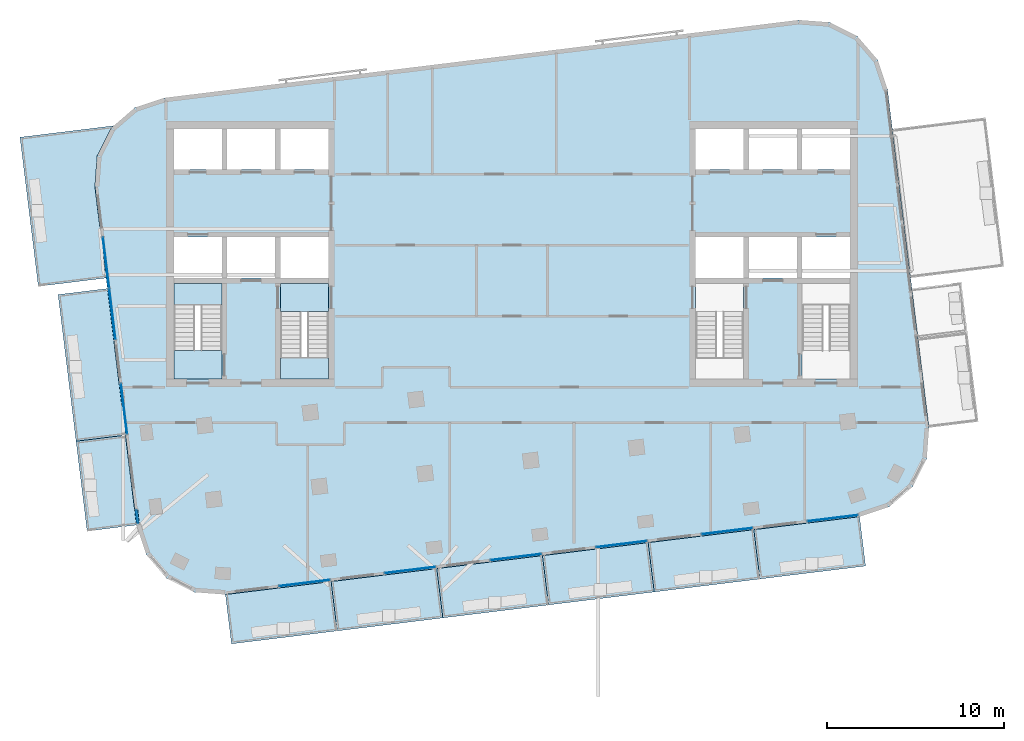
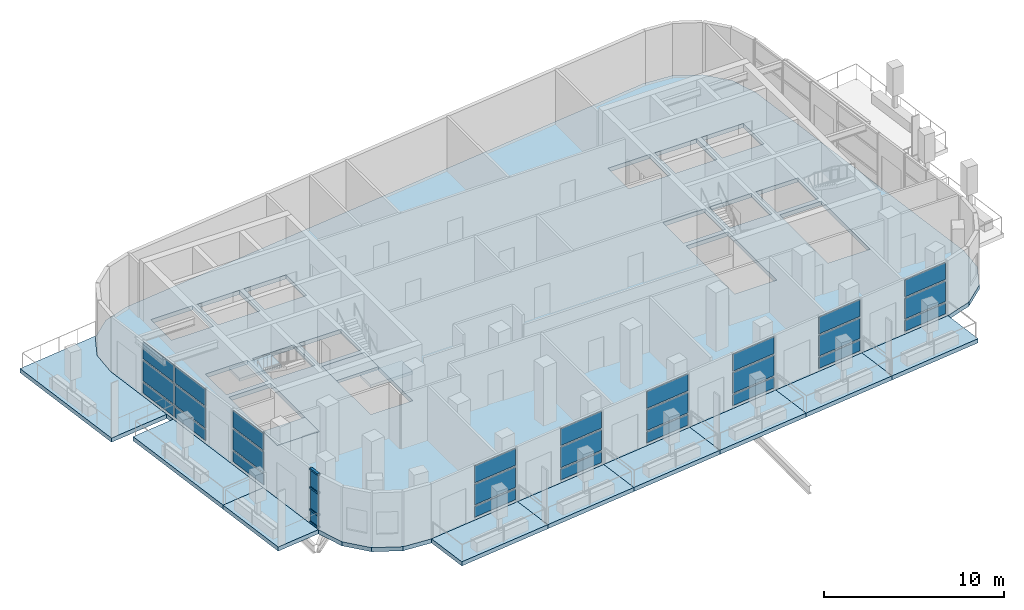
# One storey, part 4 of 13: 30 plates, 14 slabs, 4 members, 11 elements without a shape of their own.
"""IFC4 building model written with IfcOpenShell, lengths in metres."""

import ifcopenshell
import ifcopenshell.guid

model = None  # the IFC model being written
_history = None  # IfcOwnerHistory: only IFC2X3 demands one
_inside = {}  # id of a spatial element -> (the spatial element, [elements in it])
_under = {}  # id of a project, library or spatial element -> (it, [spatial elements below it])
_declared = {}  # id of a project -> (the project, [libraries it declares])
_typed = {}  # id of a type object -> (the type object, [elements of that type])
_made_of = {}  # id of a material, layer set ... -> (it, [elements and type objects made of it])


def new_model(schema):
    """Start an empty IFC model of exactly this schema.

    Asked for "IFC4X3", IfcOpenShell would pick the latest addendum, in which some entities
    have other attributes; the version numbers below select the first issue.
    IFC2X3 requires an IfcOwnerHistory on every rooted entity: one is made here for all.
    """
    global model, _history
    if schema == "IFC4X3":
        model = ifcopenshell.file(schema_version=(4, 3, 0, 0))
    else:
        model = ifcopenshell.file(schema=schema)
    _inside.clear()
    _under.clear()
    _declared.clear()
    _typed.clear()
    _made_of.clear()
    _history = None
    if model.schema == "IFC2X3":
        org = make("IfcOrganization", Name="unknown")
        user = make(
            "IfcPersonAndOrganization",
            ThePerson=make("IfcPerson", FamilyName="unknown"),
            TheOrganization=org,
        )
        app = make(
            "IfcApplication",
            ApplicationDeveloper=org,
            Version="unknown",
            ApplicationFullName="unknown",
            ApplicationIdentifier="unknown",
        )
        _history = make(
            "IfcOwnerHistory",
            OwningUser=user,
            OwningApplication=app,
            ChangeAction="ADDED",
            CreationDate=0,
        )
    return model


def make(cls, **values):
    """One entity of the class cls with the attributes given. An attribute that is None is left unset."""
    return model.create_entity(
        cls, **{name: value for name, value in values.items() if value is not None}
    )


def rooted(cls, **values):
    """An entity with a GlobalId (a new one), such as an element, a storey or a relation."""
    return make(cls, GlobalId=ifcopenshell.guid.new(), OwnerHistory=_history, **values)


def si_unit(unit_type, name, prefix=None):
    """IfcSIUnit, for example si_unit("LENGTHUNIT", "METRE", prefix="MILLI")."""
    return make("IfcSIUnit", UnitType=unit_type, Prefix=prefix, Name=name)


def assignment(units):
    """IfcUnitAssignment: the units of a project."""
    return None if units is None else make("IfcUnitAssignment", Units=units)


def point(xyz):
    """IfcCartesianPoint."""
    return None if xyz is None else make("IfcCartesianPoint", Coordinates=xyz)


def direction(xyz):
    """IfcDirection."""
    return None if xyz is None else make("IfcDirection", DirectionRatios=xyz)


def frame(location, z_axis=None, x_axis=None):
    """IfcAxis2Placement3D, a coordinate frame: its origin and axes. An axis left out is left unset."""
    return make(
        "IfcAxis2Placement3D",
        Location=point(location),
        Axis=direction(z_axis),
        RefDirection=direction(x_axis),
    )


def frame_2d(location, x_axis=None):
    """IfcAxis2Placement2D, a coordinate frame in the plane: its origin and x axis."""
    return make(
        "IfcAxis2Placement2D", Location=point(location), RefDirection=direction(x_axis)
    )


def origin():
    """The frame at (0, 0, 0) with its axes left unset."""
    return frame((0.0, 0.0, 0.0))


def origin_2d():
    """The frame at (0, 0) in the plane with its x axis left unset."""
    return frame_2d((0.0, 0.0))


def place(relative_to, where):
    """IfcLocalPlacement: puts the frame where relative to a parent placement (None: the world)."""
    return make(
        "IfcLocalPlacement", PlacementRelTo=relative_to, RelativePlacement=where
    )


def context(
    kind, dimensions, precision=None, world=None, true_north=None, identifier=None
):
    """IfcGeometricRepresentationContext, for example the 3D "Model" context."""
    return make(
        "IfcGeometricRepresentationContext",
        ContextIdentifier=identifier,
        ContextType=kind,
        CoordinateSpaceDimension=dimensions,
        Precision=precision,
        WorldCoordinateSystem=world,
        TrueNorth=true_north,
    )


def subcontext(parent, identifier, kind, view, scale=None):
    """IfcGeometricRepresentationSubContext, for example "Body" below "Model"."""
    return make(
        "IfcGeometricRepresentationSubContext",
        ContextIdentifier=identifier,
        ContextType=kind,
        ParentContext=parent,
        TargetScale=scale,
        TargetView=view,
    )


def project(units=None, contexts=None):
    """IfcProject with its units and contexts."""
    return rooted(
        "IfcProject",
        Name="project",
        RepresentationContexts=contexts,
        UnitsInContext=assignment(units),
    )


def spatial(cls, under=None, at=None, **own):
    """A site, building, storey or space (cls), placed at a placement, below another one or the project."""
    s = rooted(cls, ObjectPlacement=at, **own)
    if under is not None:
        _under.setdefault(under.id(), (under, []))[1].append(s)
    return s


def polyline(points):
    """IfcPolyline through the points."""
    return make("IfcPolyline", Points=[point(p) for p in points])


def profile(cls, at=None, kind="AREA", **sizes):
    """A parametric profile (cls). Its sizes go by their IFC names, for example OverallWidth=200.0."""
    return make(cls, ProfileType=kind, Position=at, **sizes)


def rectangle(**sizes):
    """IfcRectangleProfileDef."""
    return profile("IfcRectangleProfileDef", **sizes)


def outline(outer, holes=None, kind="AREA"):
    """IfcArbitraryClosedProfileDef: a profile drawn as a closed curve; with holes, ...WithVoids."""
    if holes is None:
        return make("IfcArbitraryClosedProfileDef", ProfileType=kind, OuterCurve=outer)
    return make(
        "IfcArbitraryProfileDefWithVoids",
        ProfileType=kind,
        OuterCurve=outer,
        InnerCurves=holes,
    )


def extrude(swept, where, along, depth):
    """IfcExtrudedAreaSolid: the profile swept, set in the frame where, extruded along a direction by depth."""
    return make(
        "IfcExtrudedAreaSolid",
        SweptArea=swept,
        Position=where,
        ExtrudedDirection=direction(along),
        Depth=depth,
    )


def shape(context_of_items, identifier, shape_type, items):
    """IfcShapeRepresentation: the items that make up one representation, for example the "Body"."""
    return make(
        "IfcShapeRepresentation",
        ContextOfItems=context_of_items,
        RepresentationIdentifier=identifier,
        RepresentationType=shape_type,
        Items=items,
    )


def material(Name=None, Category=None):
    """IfcMaterial."""
    return make("IfcMaterial", Name=Name, Category=Category)


def layer(
    of_material, thickness, ventilated=None, Name=None, Category=None, Priority=None
):
    """IfcMaterialLayer: one layer of a wall or slab, of a material (None: an air gap)."""
    return make(
        "IfcMaterialLayer",
        Material=of_material,
        LayerThickness=thickness,
        IsVentilated=ventilated,
        Name=Name,
        Category=Category,
        Priority=Priority,
    )


def layer_set(layers, Name=None):
    """IfcMaterialLayerSet."""
    return make("IfcMaterialLayerSet", MaterialLayers=layers, LayerSetName=Name)


def material_profile(
    of_material, cross_section, Name=None, Category=None, Priority=None
):
    """IfcMaterialProfile: a cross section and its material."""
    return make(
        "IfcMaterialProfile",
        Name=Name,
        Material=of_material,
        Profile=cross_section,
        Priority=Priority,
        Category=Category,
    )


def profile_set(profiles, Name=None, composite=None):
    """IfcMaterialProfileSet."""
    return make(
        "IfcMaterialProfileSet",
        Name=Name,
        MaterialProfiles=profiles,
        CompositeProfile=composite,
    )


def made_of(thing, what):
    """Note that an element or type object is made of a material, layer set ...; save() writes the relation."""
    if what is not None:
        _made_of.setdefault(what.id(), (what, []))[1].append(thing)
    return thing


def type_object(cls, material=None, **own):
    """A type object (cls), such as IfcWallType, which elements share."""
    return made_of(rooted(cls, **own), material)


def element(
    cls,
    number,
    at=None,
    inside=None,
    cuts=None,
    type_object=None,
    material=None,
    context=None,
    identifier="Body",
    shape_type=None,
    held_by="IfcProductDefinitionShape",
    body=None,
    shapes=None,
    **own,
):
    """One element of the class cls, such as IfcWall. Its Tag is "e" and its number.

    at: its placement. inside: the storey or other place that contains it. cuts: it is an
    opening in that element (IfcRelVoidsElement). A single representation is given by context,
    identifier, shape_type and body (its items); several are given by shapes. held_by: the class
    of the entity that holds the representations. save() writes the other relations.
    """
    e = rooted(cls, Tag="e%d" % number, ObjectPlacement=at, **own)
    if body is not None:
        shapes = [shape(context, identifier, shape_type, body)]
    if shapes is not None:
        e.Representation = make(held_by, Representations=shapes)
    if inside is not None:
        _inside.setdefault(inside.id(), (inside, []))[1].append(e)
    if cuts is not None:
        rooted(
            "IfcRelVoidsElement", RelatingBuildingElement=cuts, RelatedOpeningElement=e
        )
    if type_object is not None:
        _typed.setdefault(type_object.id(), (type_object, []))[1].append(e)
    return made_of(e, material)


def aggregate(whole, parts):
    """IfcRelAggregates: a whole, such as a stair, and the parts it consists of."""
    return rooted("IfcRelAggregates", RelatingObject=whole, RelatedObjects=parts)


def save(model, path):
    """Write the relations noted so far, then the file.

    IfcRelAggregates (storeys below a building ...), IfcRelContainedInSpatialStructure (elements
    in a storey), IfcRelDefinesByType, IfcRelAssociatesMaterial and IfcRelDeclares: one each for
    every whole, place, type object, material and project.
    """
    for whole, parts in _under.values():
        aggregate(whole, parts)
    for where, things in _inside.values():
        rooted(
            "IfcRelContainedInSpatialStructure",
            RelatedElements=things,
            RelatingStructure=where,
        )
    for kind, things in _typed.values():
        rooted("IfcRelDefinesByType", RelatedObjects=things, RelatingType=kind)
    for what, things in _made_of.values():
        rooted("IfcRelAssociatesMaterial", RelatedObjects=things, RelatingMaterial=what)
    for by, libraries in _declared.values():
        rooted("IfcRelDeclares", RelatingContext=by, RelatedDefinitions=libraries)
    model.write(path)


model = new_model("IFC4")

# Units and contexts
model_context = context("Model", 3, precision=1e-05, world=origin(), true_north=direction((0.0, 1.0)))
body_context = subcontext(model_context, "Body", "Model", "MODEL_VIEW")
ifc_project = project(units=[si_unit("LENGTHUNIT", "METRE"), si_unit("AREAUNIT", "SQUARE_METRE"), si_unit("VOLUMEUNIT", "CUBIC_METRE"), si_unit("PLANEANGLEUNIT", "RADIAN"), si_unit("MASSUNIT", "GRAM", prefix="KILO")], contexts=[model_context])

# Site, building, storey
site_placement = place(None, origin())
site = spatial("IfcSite", under=ifc_project, at=site_placement, CompositionType="ELEMENT")
building_placement = place(site_placement, origin())
building = spatial("IfcBuilding", under=site, at=building_placement, Name="Torana Hotel and Residences", CompositionType="ELEMENT")
storey_placement = place(building_placement, frame((0.0, 0.0, 314.60009765625)))
storey = spatial("IfcBuildingStorey", under=building, at=storey_placement, Name="L83", CompositionType="ELEMENT", Elevation=314.60009765625)

# Curtain wall, members
ifc_material_1 = material(Name="Dark anodised aluminium", Category="aluminium")
ifc_layer_1 = layer(ifc_material_1, 0.199951171875)
ifc_layer_set_1 = layer_set([ifc_layer_1], Name="CW3 SKY CLUB UNITISED CURTAIN WALL")
curtain_wall_type = type_object("IfcCurtainWallType", Name="CW3 SKY CLUB UNITISED CURTAIN WALL", PredefinedType="NOTDEFINED", material=ifc_layer_set_1)
curtain_wall_1_placement = place(storey_placement, origin())
curtain_wall_1 = element("IfcCurtainWall", 1, at=curtain_wall_1_placement, inside=storey, type_object=curtain_wall_type, Name="Curtain wall CW3 L83 e0.9-6", PredefinedType="NOTDEFINED")
ifc_material_2 = material(Name="Dark anodised aluminium", Category="aluminium")
ifc_material_profile = material_profile(ifc_material_2, rectangle(XDim=0.14990234375, YDim=0.1201171875, at=origin_2d()), Name="CW3 TRANSOM 150x120")
ifc_profile_set = profile_set([ifc_material_profile], Name="Dark anodised aluminium")
member_type = type_object("IfcMemberType", Name="CW3 TRANSOM 150x120", PredefinedType="USERDEFINED", material=ifc_profile_set)
member_1_placement = place(storey_placement, frame((-21.1640625, -21.9345703125, 0.059814453125), z_axis=(0.121868344815, -0.992546274252, 0.0), x_axis=(0.992546274252, 0.121868344815, 0.0)))
member_1 = element("IfcMember", 2, at=member_1_placement, type_object=member_type, Name="CW3 transom 1.1", ObjectType="TRANSOM", PredefinedType="USERDEFINED", context=body_context, shape_type="SweptSolid", body=[
    extrude(rectangle(XDim=0.14990234375, YDim=0.1201171875, at=origin_2d()), origin(), (0.0, 0.0, 1.0), 0.735107421875),
])
member_2_placement = place(storey_placement, frame((-21.1640625, -21.9345703125, 0.89990234375), z_axis=(0.121868344815, -0.992546274252, 0.0), x_axis=(0.992546274252, 0.121868344815, 0.0)))
member_2 = element("IfcMember", 3, at=member_2_placement, type_object=member_type, Name="CW3 transom 1.2", ObjectType="TRANSOM", PredefinedType="USERDEFINED", context=body_context, shape_type="SweptSolid", body=[
    extrude(rectangle(XDim=0.14990234375, YDim=0.1201171875, at=origin_2d()), origin(), (0.0, 0.0, 1.0), 0.735107421875),
])
member_3_placement = place(storey_placement, frame((-21.1640625, -21.9345703125, 2.39990234375), z_axis=(0.121868344815, -0.992546274252, 0.0), x_axis=(0.992546274252, 0.121868344815, 0.0)))
member_3 = element("IfcMember", 4, at=member_3_placement, type_object=member_type, Name="CW3 transom 1.3", ObjectType="TRANSOM", PredefinedType="USERDEFINED", context=body_context, shape_type="SweptSolid", body=[
    extrude(rectangle(XDim=0.14990234375, YDim=0.1201171875, at=origin_2d()), origin(), (0.0, 0.0, 1.0), 0.735107421875),
])
member_4_placement = place(storey_placement, frame((-21.1640625, -21.9345703125, 3.659912109375), z_axis=(0.121868344815, -0.992546274252, 0.0), x_axis=(0.992546274252, 0.121868344815, 0.0)))
member_4 = element("IfcMember", 5, at=member_4_placement, type_object=member_type, Name="CW3 transom 1.4", ObjectType="TRANSOM", PredefinedType="USERDEFINED", context=body_context, shape_type="SweptSolid", body=[
    extrude(rectangle(XDim=0.14990234375, YDim=0.1201171875, at=origin_2d()), origin(), (0.0, 0.0, 1.0), 0.735107421875),
])

# Slabs
ifc_material_3 = material(Name="Concrete C40/50", Category="concrete")
ifc_layer_2 = layer(ifc_material_3, 0.280029296875)
ifc_layer_set_2 = layer_set([ifc_layer_2], Name="BAL1 BALCONY SLAB 280")
slab_type_1 = type_object("IfcSlabType", Name="BAL1 BALCONY SLAB 280", PredefinedType="USERDEFINED", material=ifc_layer_set_2)
slab_1_placement = place(storey_placement, frame((0.0, 0.0, -0.280029296875)))
element("IfcSlab", 6, at=slab_1_placement, inside=storey, type_object=slab_type_1, Name="Balcony 01", ObjectType="BALCONY", PredefinedType="USERDEFINED", context=body_context, shape_type="SweptSolid", body=[
    extrude(outline(polyline([(-15.80615234375, -29.4677734375), (-9.85107421875, -28.736572265625), (-10.192138671875, -25.957275390625), (-16.1474609375, -26.6884765625), (-15.80615234375, -29.4677734375)])), origin(), (0.0, 0.0, 1.0), 0.280029296875),
])
slab_2_placement = place(storey_placement, frame((0.0, 0.0, -0.280029296875)))
element("IfcSlab", 7, at=slab_2_placement, inside=storey, type_object=slab_type_1, Name="Balcony 02", ObjectType="BALCONY", PredefinedType="USERDEFINED", context=body_context, shape_type="SweptSolid", body=[
    extrude(outline(polyline([(-9.85107421875, -28.736572265625), (-3.895751953125, -28.005126953125), (-4.23681640625, -25.22607421875), (-10.192138671875, -25.957275390625), (-9.85107421875, -28.736572265625)])), origin(), (0.0, 0.0, 1.0), 0.280029296875),
])
slab_3_placement = place(storey_placement, frame((0.0, 0.0, -0.280029296875)))
element("IfcSlab", 8, at=slab_3_placement, inside=storey, type_object=slab_type_1, Name="Balcony 03", ObjectType="BALCONY", PredefinedType="USERDEFINED", context=body_context, shape_type="SweptSolid", body=[
    extrude(outline(polyline([(-3.895751953125, -28.005126953125), (2.0595703125, -27.27392578125), (1.718505859375, -24.494873046875), (-4.23681640625, -25.22607421875), (-3.895751953125, -28.005126953125)])), origin(), (0.0, 0.0, 1.0), 0.280029296875),
])
slab_4_placement = place(storey_placement, frame((0.0, 0.0, -0.280029296875)))
element("IfcSlab", 9, at=slab_4_placement, inside=storey, type_object=slab_type_1, Name="Balcony 04", ObjectType="BALCONY", PredefinedType="USERDEFINED", context=body_context, shape_type="SweptSolid", body=[
    extrude(outline(polyline([(2.0595703125, -27.27392578125), (8.014892578125, -26.542724609375), (7.673583984375, -23.763671875), (1.718505859375, -24.494873046875), (2.0595703125, -27.27392578125)])), origin(), (0.0, 0.0, 1.0), 0.280029296875),
])
slab_5_placement = place(storey_placement, frame((0.0, 0.0, -0.280029296875)))
element("IfcSlab", 10, at=slab_5_placement, inside=storey, type_object=slab_type_1, Name="Balcony 05", ObjectType="BALCONY", PredefinedType="USERDEFINED", context=body_context, shape_type="SweptSolid", body=[
    extrude(outline(polyline([(8.014892578125, -26.542724609375), (13.97021484375, -25.8115234375), (13.62890625, -23.032470703125), (7.673583984375, -23.763671875), (8.014892578125, -26.542724609375)])), origin(), (0.0, 0.0, 1.0), 0.280029296875),
])
slab_6_placement = place(storey_placement, frame((0.0, 0.0, -0.280029296875)))
element("IfcSlab", 11, at=slab_6_placement, inside=storey, type_object=slab_type_1, Name="Balcony 06", ObjectType="BALCONY", PredefinedType="USERDEFINED", context=body_context, shape_type="SweptSolid", body=[
    extrude(outline(polyline([(13.97021484375, -25.8115234375), (19.92529296875, -25.080322265625), (19.584228515625, -22.30126953125), (13.62890625, -23.032470703125), (13.97021484375, -25.8115234375)])), origin(), (0.0, 0.0, 1.0), 0.280029296875),
])
slab_7_placement = place(storey_placement, frame((0.0, 0.0, -0.280029296875)))
element("IfcSlab", 12, at=slab_7_placement, inside=storey, type_object=slab_type_1, Name="Balcony 07", ObjectType="BALCONY", PredefinedType="USERDEFINED", context=body_context, shape_type="SweptSolid", body=[
    extrude(outline(polyline([(-23.94140625, -23.11181640625), (-21.162353515625, -22.7705078125), (-21.783935546875, -17.70849609375), (-24.56298828125, -18.0498046875), (-23.94140625, -23.11181640625)])), origin(), (0.0, 0.0, 1.0), 0.280029296875),
])
slab_8_placement = place(storey_placement, frame((0.0, 0.0, -0.280029296875)))
element("IfcSlab", 13, at=slab_8_placement, inside=storey, type_object=slab_type_1, Name="Balcony 08", ObjectType="BALCONY", PredefinedType="USERDEFINED", context=body_context, shape_type="SweptSolid", body=[
    extrude(outline(polyline([(-24.56298828125, -18.0498046875), (-21.783935546875, -17.70849609375), (-22.79833984375, -9.445556640625), (-25.57763671875, -9.786865234375), (-24.56298828125, -18.0498046875)])), origin(), (0.0, 0.0, 1.0), 0.280029296875),
])
slab_9_placement = place(storey_placement, frame((0.0, 0.0, -0.280029296875)))
element("IfcSlab", 14, at=slab_9_placement, inside=storey, type_object=slab_type_1, Name="Balcony 09", ObjectType="BALCONY", PredefinedType="USERDEFINED", context=body_context, shape_type="SweptSolid", body=[
    extrude(outline(polyline([(-26.69287109375, -9.319091796875), (-22.87158203125, -8.85009765625), (-23.502197265625, -3.713623046875), (-23.3720703125, -1.962646484375), (-22.581787109375, -0.394775390625), (-22.43701171875, -0.27001953125), (-27.724365234375, -0.919189453125), (-26.69287109375, -9.319091796875)])), origin(), (0.0, 0.0, 1.0), 0.280029296875),
])

# Curtain wall, plates
curtain_wall_2_placement = place(storey_placement, origin())
curtain_wall_2 = element("IfcCurtainWall", 15, at=curtain_wall_2_placement, inside=storey, type_object=curtain_wall_type, Name="Curtain wall CW3 L83 e0.9-2", PredefinedType="NOTDEFINED")
ifc_material_4 = material(Name="Glass dark tinted double glazed unit", Category="glass")
ifc_layer_3 = layer(ifc_material_4, 0.031982421875)
ifc_layer_set_3 = layer_set([ifc_layer_3], Name="CW3 DARK GLASS PANEL 32")
plate_type = type_object("IfcPlateType", Name="CW3 DARK GLASS PANEL 32", PredefinedType="CURTAIN_PANEL", material=ifc_layer_set_3)
plate_1_placement = place(storey_placement, frame((-22.876953125, -7.986083984375, 0.1201171875), z_axis=(0.0, 0.0, 1.0), x_axis=(0.121875529794, -0.992545392029, 0.0)))
plate_1 = element("IfcPlate", 16, at=plate_1_placement, type_object=plate_type, Name="CW3 panel 1.1", PredefinedType="CURTAIN_PANEL", context=body_context, shape_type="SweptSolid", body=[
    extrude(rectangle(XDim=2.853759765625, YDim=0.031982421875, at=origin_2d()), origin(), (0.0, 0.0, 1.0), 0.719970703125),
])
plate_2_placement = place(storey_placement, frame((-22.876953125, -7.986083984375, 0.9599609375), z_axis=(0.0, 0.0, 1.0), x_axis=(0.121875529794, -0.992545392029, 0.0)))
plate_2 = element("IfcPlate", 17, at=plate_2_placement, type_object=plate_type, Name="CW3 panel 1.2", PredefinedType="CURTAIN_PANEL", context=body_context, shape_type="SweptSolid", body=[
    extrude(rectangle(XDim=2.853759765625, YDim=0.031982421875, at=origin_2d()), origin(), (0.0, 0.0, 1.0), 1.3798828125),
])
plate_3_placement = place(storey_placement, frame((-22.876953125, -7.986083984375, 2.4599609375), z_axis=(0.0, 0.0, 1.0), x_axis=(0.121875529794, -0.992545392029, 0.0)))
plate_3 = element("IfcPlate", 18, at=plate_3_placement, type_object=plate_type, Name="CW3 panel 1.3", PredefinedType="CURTAIN_PANEL", context=body_context, shape_type="SweptSolid", body=[
    extrude(rectangle(XDim=2.853759765625, YDim=0.031982421875, at=origin_2d()), origin(), (0.0, 0.0, 1.0), 1.139892578125),
])
plate_4_placement = place(storey_placement, frame((-22.5205078125, -10.88818359375, 0.1201171875), z_axis=(0.0, 0.0, 1.0), x_axis=(0.121875529794, -0.992545392029, 0.0)))
plate_4 = element("IfcPlate", 19, at=plate_4_placement, type_object=plate_type, Name="CW3 panel 2.1", PredefinedType="CURTAIN_PANEL", context=body_context, shape_type="SweptSolid", body=[
    extrude(rectangle(XDim=2.853759765625, YDim=0.031982421875, at=origin_2d()), origin(), (0.0, 0.0, 1.0), 0.719970703125),
])
plate_5_placement = place(storey_placement, frame((-22.5205078125, -10.88818359375, 0.9599609375), z_axis=(0.0, 0.0, 1.0), x_axis=(0.121875529794, -0.992545392029, 0.0)))
plate_5 = element("IfcPlate", 20, at=plate_5_placement, type_object=plate_type, Name="CW3 panel 2.2", PredefinedType="CURTAIN_PANEL", context=body_context, shape_type="SweptSolid", body=[
    extrude(rectangle(XDim=2.853759765625, YDim=0.031982421875, at=origin_2d()), origin(), (0.0, 0.0, 1.0), 1.3798828125),
])
plate_6_placement = place(storey_placement, frame((-22.5205078125, -10.88818359375, 2.4599609375), z_axis=(0.0, 0.0, 1.0), x_axis=(0.121875529794, -0.992545392029, 0.0)))
plate_6 = element("IfcPlate", 21, at=plate_6_placement, type_object=plate_type, Name="CW3 panel 2.3", PredefinedType="CURTAIN_PANEL", context=body_context, shape_type="SweptSolid", body=[
    extrude(rectangle(XDim=2.853759765625, YDim=0.031982421875, at=origin_2d()), origin(), (0.0, 0.0, 1.0), 1.139892578125),
])
aggregate(curtain_wall_2, [plate_1, plate_2, plate_3, plate_4, plate_5, plate_6])

curtain_wall_3_placement = place(storey_placement, origin())
curtain_wall_3 = element("IfcCurtainWall", 22, at=curtain_wall_3_placement, inside=storey, type_object=curtain_wall_type, Name="Curtain wall CW3 L83 e0.9-4", PredefinedType="NOTDEFINED")
plate_7_placement = place(storey_placement, frame((-21.864990234375, -16.22607421875, 0.1201171875), z_axis=(0.0, 0.0, 1.0), x_axis=(0.121857464048, -0.992547610171, 0.0)))
plate_7 = element("IfcPlate", 23, at=plate_7_placement, type_object=plate_type, Name="CW3 panel 1.1", PredefinedType="CURTAIN_PANEL", context=body_context, shape_type="SweptSolid", body=[
    extrude(rectangle(XDim=2.822509765625, YDim=0.031982421875, at=origin_2d()), origin(), (0.0, 0.0, 1.0), 0.719970703125),
])
plate_8_placement = place(storey_placement, frame((-21.864990234375, -16.22607421875, 0.9599609375), z_axis=(0.0, 0.0, 1.0), x_axis=(0.121857464048, -0.992547610171, 0.0)))
plate_8 = element("IfcPlate", 24, at=plate_8_placement, type_object=plate_type, Name="CW3 panel 1.2", PredefinedType="CURTAIN_PANEL", context=body_context, shape_type="SweptSolid", body=[
    extrude(rectangle(XDim=2.822509765625, YDim=0.031982421875, at=origin_2d()), origin(), (0.0, 0.0, 1.0), 1.3798828125),
])
plate_9_placement = place(storey_placement, frame((-21.864990234375, -16.22607421875, 2.4599609375), z_axis=(0.0, 0.0, 1.0), x_axis=(0.121857464048, -0.992547610171, 0.0)))
plate_9 = element("IfcPlate", 25, at=plate_9_placement, type_object=plate_type, Name="CW3 panel 1.3", PredefinedType="CURTAIN_PANEL", context=body_context, shape_type="SweptSolid", body=[
    extrude(rectangle(XDim=2.822509765625, YDim=0.031982421875, at=origin_2d()), origin(), (0.0, 0.0, 1.0), 1.139892578125),
])
aggregate(curtain_wall_3, [plate_7, plate_8, plate_9])

# Plate
plate_10_placement = place(storey_placement, frame((-21.119384765625, -22.299560546875, 0.1201171875), z_axis=(0.0, 0.0, 1.0), x_axis=(0.121883404477, -0.992544425058, 0.0)))
plate_10 = element("IfcPlate", 26, at=plate_10_placement, type_object=plate_type, Name="CW3 panel 1.1", PredefinedType="CURTAIN_PANEL", context=body_context, shape_type="SweptSolid", body=[
    extrude(rectangle(XDim=0.7353515625, YDim=0.031982421875, at=origin_2d()), origin(), (0.0, 0.0, 1.0), 0.719970703125),
])

plate_11_placement = place(storey_placement, frame((-21.119384765625, -22.299560546875, 0.9599609375), z_axis=(0.0, 0.0, 1.0), x_axis=(0.121883404477, -0.992544425058, 0.0)))
plate_11 = element("IfcPlate", 27, at=plate_11_placement, type_object=plate_type, Name="CW3 panel 1.2", PredefinedType="CURTAIN_PANEL", context=body_context, shape_type="SweptSolid", body=[
    extrude(rectangle(XDim=0.7353515625, YDim=0.031982421875, at=origin_2d()), origin(), (0.0, 0.0, 1.0), 1.3798828125),
])

plate_12_placement = place(storey_placement, frame((-21.119384765625, -22.299560546875, 2.4599609375), z_axis=(0.0, 0.0, 1.0), x_axis=(0.121883404477, -0.992544425058, 0.0)))
plate_12 = element("IfcPlate", 28, at=plate_12_placement, type_object=plate_type, Name="CW3 panel 1.3", PredefinedType="CURTAIN_PANEL", context=body_context, shape_type="SweptSolid", body=[
    extrude(rectangle(XDim=0.7353515625, YDim=0.031982421875, at=origin_2d()), origin(), (0.0, 0.0, 1.0), 1.139892578125),
])

aggregate(curtain_wall_1, [member_1, member_2, member_3, member_4, plate_10, plate_11, plate_12])

# Curtain wall, plates
curtain_wall_4_placement = place(storey_placement, origin())
curtain_wall_4 = element("IfcCurtainWall", 29, at=curtain_wall_4_placement, inside=storey, type_object=curtain_wall_type, Name="Curtain wall CW3 L83 e0.14-2", PredefinedType="NOTDEFINED")
plate_13_placement = place(storey_placement, frame((-11.693115234375, -26.040771484375, 0.1201171875), z_axis=(0.0, 0.0, 1.0), x_axis=(0.992546285043, 0.121868256929, 0.0)))
plate_13 = element("IfcPlate", 30, at=plate_13_placement, type_object=plate_type, Name="CW3 panel 1.1", PredefinedType="CURTAIN_PANEL", context=body_context, shape_type="SweptSolid", body=[
    extrude(rectangle(XDim=2.85986328125, YDim=0.031982421875, at=origin_2d()), origin(), (0.0, 0.0, 1.0), 0.719970703125),
])
plate_14_placement = place(storey_placement, frame((-11.693115234375, -26.040771484375, 0.9599609375), z_axis=(0.0, 0.0, 1.0), x_axis=(0.992546285043, 0.121868256929, 0.0)))
plate_14 = element("IfcPlate", 31, at=plate_14_placement, type_object=plate_type, Name="CW3 panel 1.2", PredefinedType="CURTAIN_PANEL", context=body_context, shape_type="SweptSolid", body=[
    extrude(rectangle(XDim=2.85986328125, YDim=0.031982421875, at=origin_2d()), origin(), (0.0, 0.0, 1.0), 1.3798828125),
])
plate_15_placement = place(storey_placement, frame((-11.693115234375, -26.040771484375, 2.4599609375), z_axis=(0.0, 0.0, 1.0), x_axis=(0.992546285043, 0.121868256929, 0.0)))
plate_15 = element("IfcPlate", 32, at=plate_15_placement, type_object=plate_type, Name="CW3 panel 1.3", PredefinedType="CURTAIN_PANEL", context=body_context, shape_type="SweptSolid", body=[
    extrude(rectangle(XDim=2.85986328125, YDim=0.031982421875, at=origin_2d()), origin(), (0.0, 0.0, 1.0), 1.139892578125),
])
aggregate(curtain_wall_4, [plate_13, plate_14, plate_15])

curtain_wall_5_placement = place(storey_placement, origin())
curtain_wall_5 = element("IfcCurtainWall", 33, at=curtain_wall_5_placement, inside=storey, type_object=curtain_wall_type, Name="Curtain wall CW3 L83 e0.14-4", PredefinedType="NOTDEFINED")
plate_16_placement = place(storey_placement, frame((-5.738037109375, -25.3095703125, 0.1201171875), z_axis=(0.0, 0.0, 1.0), x_axis=(0.992546780088, 0.121864225005, 0.0)))
plate_16 = element("IfcPlate", 34, at=plate_16_placement, type_object=plate_type, Name="CW3 panel 1.1", PredefinedType="CURTAIN_PANEL", context=body_context, shape_type="SweptSolid", body=[
    extrude(rectangle(XDim=2.860107421875, YDim=0.031982421875, at=origin_2d()), origin(), (0.0, 0.0, 1.0), 0.719970703125),
])
plate_17_placement = place(storey_placement, frame((-5.738037109375, -25.3095703125, 0.9599609375), z_axis=(0.0, 0.0, 1.0), x_axis=(0.992546780088, 0.121864225005, 0.0)))
plate_17 = element("IfcPlate", 35, at=plate_17_placement, type_object=plate_type, Name="CW3 panel 1.2", PredefinedType="CURTAIN_PANEL", context=body_context, shape_type="SweptSolid", body=[
    extrude(rectangle(XDim=2.860107421875, YDim=0.031982421875, at=origin_2d()), origin(), (0.0, 0.0, 1.0), 1.3798828125),
])
plate_18_placement = place(storey_placement, frame((-5.738037109375, -25.3095703125, 2.4599609375), z_axis=(0.0, 0.0, 1.0), x_axis=(0.992546780088, 0.121864225005, 0.0)))
plate_18 = element("IfcPlate", 36, at=plate_18_placement, type_object=plate_type, Name="CW3 panel 1.3", PredefinedType="CURTAIN_PANEL", context=body_context, shape_type="SweptSolid", body=[
    extrude(rectangle(XDim=2.860107421875, YDim=0.031982421875, at=origin_2d()), origin(), (0.0, 0.0, 1.0), 1.139892578125),
])
aggregate(curtain_wall_5, [plate_16, plate_17, plate_18])

curtain_wall_6_placement = place(storey_placement, origin())
curtain_wall_6 = element("IfcCurtainWall", 37, at=curtain_wall_6_placement, inside=storey, type_object=curtain_wall_type, Name="Curtain wall CW3 L83 e0.14-6", PredefinedType="NOTDEFINED")
plate_19_placement = place(storey_placement, frame((0.21728515625, -24.578369140625, 0.1201171875), z_axis=(0.0, 0.0, 1.0), x_axis=(0.992546780088, 0.121864225005, 0.0)))
plate_19 = element("IfcPlate", 38, at=plate_19_placement, type_object=plate_type, Name="CW3 panel 1.1", PredefinedType="CURTAIN_PANEL", context=body_context, shape_type="SweptSolid", body=[
    extrude(rectangle(XDim=2.860107421875, YDim=0.031982421875, at=origin_2d()), origin(), (0.0, 0.0, 1.0), 0.719970703125),
])
plate_20_placement = place(storey_placement, frame((0.21728515625, -24.578369140625, 0.9599609375), z_axis=(0.0, 0.0, 1.0), x_axis=(0.992546780088, 0.121864225005, 0.0)))
plate_20 = element("IfcPlate", 39, at=plate_20_placement, type_object=plate_type, Name="CW3 panel 1.2", PredefinedType="CURTAIN_PANEL", context=body_context, shape_type="SweptSolid", body=[
    extrude(rectangle(XDim=2.860107421875, YDim=0.031982421875, at=origin_2d()), origin(), (0.0, 0.0, 1.0), 1.3798828125),
])
plate_21_placement = place(storey_placement, frame((0.21728515625, -24.578369140625, 2.4599609375), z_axis=(0.0, 0.0, 1.0), x_axis=(0.992546780088, 0.121864225005, 0.0)))
plate_21 = element("IfcPlate", 40, at=plate_21_placement, type_object=plate_type, Name="CW3 panel 1.3", PredefinedType="CURTAIN_PANEL", context=body_context, shape_type="SweptSolid", body=[
    extrude(rectangle(XDim=2.860107421875, YDim=0.031982421875, at=origin_2d()), origin(), (0.0, 0.0, 1.0), 1.139892578125),
])
aggregate(curtain_wall_6, [plate_19, plate_20, plate_21])

curtain_wall_7_placement = place(storey_placement, origin())
curtain_wall_7 = element("IfcCurtainWall", 41, at=curtain_wall_7_placement, inside=storey, type_object=curtain_wall_type, Name="Curtain wall CW3 L83 e0.14-8", PredefinedType="NOTDEFINED")
plate_22_placement = place(storey_placement, frame((6.172607421875, -23.84716796875, 0.1201171875), z_axis=(0.0, 0.0, 1.0), x_axis=(0.992546285043, 0.121868256929, 0.0)))
plate_22 = element("IfcPlate", 42, at=plate_22_placement, type_object=plate_type, Name="CW3 panel 1.1", PredefinedType="CURTAIN_PANEL", context=body_context, shape_type="SweptSolid", body=[
    extrude(rectangle(XDim=2.85986328125, YDim=0.031982421875, at=origin_2d()), origin(), (0.0, 0.0, 1.0), 0.719970703125),
])
plate_23_placement = place(storey_placement, frame((6.172607421875, -23.84716796875, 0.9599609375), z_axis=(0.0, 0.0, 1.0), x_axis=(0.992546285043, 0.121868256929, 0.0)))
plate_23 = element("IfcPlate", 43, at=plate_23_placement, type_object=plate_type, Name="CW3 panel 1.2", PredefinedType="CURTAIN_PANEL", context=body_context, shape_type="SweptSolid", body=[
    extrude(rectangle(XDim=2.85986328125, YDim=0.031982421875, at=origin_2d()), origin(), (0.0, 0.0, 1.0), 1.3798828125),
])
plate_24_placement = place(storey_placement, frame((6.172607421875, -23.84716796875, 2.4599609375), z_axis=(0.0, 0.0, 1.0), x_axis=(0.992546285043, 0.121868256929, 0.0)))
plate_24 = element("IfcPlate", 44, at=plate_24_placement, type_object=plate_type, Name="CW3 panel 1.3", PredefinedType="CURTAIN_PANEL", context=body_context, shape_type="SweptSolid", body=[
    extrude(rectangle(XDim=2.85986328125, YDim=0.031982421875, at=origin_2d()), origin(), (0.0, 0.0, 1.0), 1.139892578125),
])
aggregate(curtain_wall_7, [plate_22, plate_23, plate_24])

curtain_wall_8_placement = place(storey_placement, origin())
curtain_wall_8 = element("IfcCurtainWall", 45, at=curtain_wall_8_placement, inside=storey, type_object=curtain_wall_type, Name="Curtain wall CW3 L83 e0.14-10", PredefinedType="NOTDEFINED")
plate_25_placement = place(storey_placement, frame((12.1279296875, -23.115966796875, 0.1201171875), z_axis=(0.0, 0.0, 1.0), x_axis=(0.992546285043, 0.121868256929, 0.0)))
plate_25 = element("IfcPlate", 46, at=plate_25_placement, type_object=plate_type, Name="CW3 panel 1.1", PredefinedType="CURTAIN_PANEL", context=body_context, shape_type="SweptSolid", body=[
    extrude(rectangle(XDim=2.85986328125, YDim=0.031982421875, at=origin_2d()), origin(), (0.0, 0.0, 1.0), 0.719970703125),
])
plate_26_placement = place(storey_placement, frame((12.1279296875, -23.115966796875, 0.9599609375), z_axis=(0.0, 0.0, 1.0), x_axis=(0.992546285043, 0.121868256929, 0.0)))
plate_26 = element("IfcPlate", 47, at=plate_26_placement, type_object=plate_type, Name="CW3 panel 1.2", PredefinedType="CURTAIN_PANEL", context=body_context, shape_type="SweptSolid", body=[
    extrude(rectangle(XDim=2.85986328125, YDim=0.031982421875, at=origin_2d()), origin(), (0.0, 0.0, 1.0), 1.3798828125),
])
plate_27_placement = place(storey_placement, frame((12.1279296875, -23.115966796875, 2.4599609375), z_axis=(0.0, 0.0, 1.0), x_axis=(0.992546285043, 0.121868256929, 0.0)))
plate_27 = element("IfcPlate", 48, at=plate_27_placement, type_object=plate_type, Name="CW3 panel 1.3", PredefinedType="CURTAIN_PANEL", context=body_context, shape_type="SweptSolid", body=[
    extrude(rectangle(XDim=2.85986328125, YDim=0.031982421875, at=origin_2d()), origin(), (0.0, 0.0, 1.0), 1.139892578125),
])
aggregate(curtain_wall_8, [plate_25, plate_26, plate_27])

curtain_wall_9_placement = place(storey_placement, origin())
curtain_wall_9 = element("IfcCurtainWall", 49, at=curtain_wall_9_placement, inside=storey, type_object=curtain_wall_type, Name="Curtain wall CW3 L83 e0.14-12", PredefinedType="NOTDEFINED")
plate_28_placement = place(storey_placement, frame((18.071044921875, -22.38623046875, 0.1201171875), z_axis=(0.0, 0.0, 1.0), x_axis=(0.992546950189, 0.121862839581, 0.0)))
plate_28 = element("IfcPlate", 50, at=plate_28_placement, type_object=plate_type, Name="CW3 panel 1.1", PredefinedType="CURTAIN_PANEL", context=body_context, shape_type="SweptSolid", body=[
    extrude(rectangle(XDim=2.83544921875, YDim=0.031982421875, at=origin_2d()), origin(), (0.0, 0.0, 1.0), 0.719970703125),
])
plate_29_placement = place(storey_placement, frame((18.071044921875, -22.38623046875, 0.9599609375), z_axis=(0.0, 0.0, 1.0), x_axis=(0.992546950189, 0.121862839581, 0.0)))
plate_29 = element("IfcPlate", 51, at=plate_29_placement, type_object=plate_type, Name="CW3 panel 1.2", PredefinedType="CURTAIN_PANEL", context=body_context, shape_type="SweptSolid", body=[
    extrude(rectangle(XDim=2.83544921875, YDim=0.031982421875, at=origin_2d()), origin(), (0.0, 0.0, 1.0), 1.3798828125),
])
plate_30_placement = place(storey_placement, frame((18.071044921875, -22.38623046875, 2.4599609375), z_axis=(0.0, 0.0, 1.0), x_axis=(0.992546950189, 0.121862839581, 0.0)))
plate_30 = element("IfcPlate", 52, at=plate_30_placement, type_object=plate_type, Name="CW3 panel 1.3", PredefinedType="CURTAIN_PANEL", context=body_context, shape_type="SweptSolid", body=[
    extrude(rectangle(XDim=2.83544921875, YDim=0.031982421875, at=origin_2d()), origin(), (0.0, 0.0, 1.0), 1.139892578125),
])
aggregate(curtain_wall_9, [plate_28, plate_29, plate_30])

# Slab
ifc_material_5 = material(Name="Concrete C40/50", Category="concrete")
ifc_layer_4 = layer(ifc_material_5, 0.280029296875)
ifc_layer_set_4 = layer_set([ifc_layer_4], Name="FLOOR SLAB PT 280")
slab_type_2 = type_object("IfcSlabType", Name="FLOOR SLAB PT 280", PredefinedType="FLOOR", material=ifc_layer_set_4)
slab_10_placement = place(storey_placement, frame((0.0, 0.0, -0.280029296875)))
element("IfcSlab", 53, at=slab_10_placement, inside=storey, type_object=slab_type_2, Name="Floor slab", PredefinedType="FLOOR", context=body_context, shape_type="SweptSolid", body=[
    extrude(outline(polyline([(21.162353515625, 1.7705078125), (20.612548828125, 3.43798828125), (19.46630859375, 4.76806640625), (17.8984375, 5.558349609375), (16.1474609375, 5.6884765625), (-19.584228515625, 1.30126953125), (-21.251708984375, 0.75146484375), (-22.581787109375, -0.394775390625), (-23.3720703125, -1.962646484375), (-23.502197265625, -3.713623046875), (-21.162353515625, -22.7705078125), (-20.612548828125, -24.43798828125), (-19.46630859375, -25.76806640625), (-17.8984375, -26.558349609375), (-16.1474609375, -26.6884765625), (19.584228515625, -22.30126953125), (21.251708984375, -21.75146484375), (22.581787109375, -20.605224609375), (23.3720703125, -19.037353515625), (23.502197265625, -17.286376953125), (21.162353515625, 1.7705078125)]), holes=[polyline([(-13.050048828125, -14.550048828125), (-10.35009765625, -14.550048828125), (-10.35009765625, -9.14990234375), (-13.050048828125, -9.14990234375), (-13.050048828125, -14.550048828125)]), polyline([(-19.050048828125, -14.550048828125), (-16.35009765625, -14.550048828125), (-16.35009765625, -9.14990234375), (-19.050048828125, -9.14990234375), (-19.050048828125, -14.550048828125)]), polyline([(-19.050048828125, -2.75), (-16.35009765625, -2.75), (-16.35009765625, -0.449951171875), (-19.050048828125, -0.449951171875), (-19.050048828125, -2.75)]), polyline([(-13.050048828125, -2.75), (-10.35009765625, -2.75), (-10.35009765625, -0.449951171875), (-13.050048828125, -0.449951171875), (-13.050048828125, -2.75)]), polyline([(-16.050048828125, -2.75), (-13.35009765625, -2.75), (-13.35009765625, -0.449951171875), (-16.050048828125, -0.449951171875), (-16.050048828125, -2.75)]), polyline([(-13.050048828125, -8.85009765625), (-10.35009765625, -8.85009765625), (-10.35009765625, -6.550048828125), (-13.050048828125, -6.550048828125), (-13.050048828125, -8.85009765625)]), polyline([(-16.050048828125, -8.85009765625), (-13.35009765625, -8.85009765625), (-13.35009765625, -6.550048828125), (-16.050048828125, -6.550048828125), (-16.050048828125, -8.85009765625)]), polyline([(-19.050048828125, -8.85009765625), (-16.35009765625, -8.85009765625), (-16.35009765625, -6.550048828125), (-19.050048828125, -6.550048828125), (-19.050048828125, -8.85009765625)]), polyline([(10.35009765625, -14.550048828125), (13.050048828125, -14.550048828125), (13.050048828125, -9.14990234375), (10.35009765625, -9.14990234375), (10.35009765625, -14.550048828125)]), polyline([(16.35009765625, -14.550048828125), (19.050048828125, -14.550048828125), (19.050048828125, -9.14990234375), (16.35009765625, -9.14990234375), (16.35009765625, -14.550048828125)]), polyline([(16.35009765625, -2.75), (19.050048828125, -2.75), (19.050048828125, -0.449951171875), (16.35009765625, -0.449951171875), (16.35009765625, -2.75)]), polyline([(10.35009765625, -2.75), (13.050048828125, -2.75), (13.050048828125, -0.449951171875), (10.35009765625, -0.449951171875), (10.35009765625, -2.75)]), polyline([(13.35009765625, -2.75), (16.050048828125, -2.75), (16.050048828125, -0.449951171875), (13.35009765625, -0.449951171875), (13.35009765625, -2.75)]), polyline([(10.35009765625, -8.85009765625), (13.050048828125, -8.85009765625), (13.050048828125, -6.550048828125), (10.35009765625, -6.550048828125), (10.35009765625, -8.85009765625)]), polyline([(13.35009765625, -8.85009765625), (16.050048828125, -8.85009765625), (16.050048828125, -6.550048828125), (13.35009765625, -6.550048828125), (13.35009765625, -8.85009765625)]), polyline([(16.35009765625, -8.85009765625), (19.050048828125, -8.85009765625), (19.050048828125, -6.550048828125), (16.35009765625, -6.550048828125), (16.35009765625, -8.85009765625)])]), origin(), (0.0, 0.0, 1.0), 0.280029296875),
])

# Stair, slabs
ifc_material_6 = material(Name="Concrete C40/50 precast", Category="concrete")
stair_type_1 = type_object("IfcStairType", Name="STAIR ST1 HALF TURN 1200", PredefinedType="HALF_TURN_STAIR", material=ifc_material_6)
stair_1_placement = place(storey_placement, origin())
stair_1 = element("IfcStair", 54, at=stair_1_placement, inside=storey, type_object=stair_type_1, Name="Stair ST1 L83", PredefinedType="HALF_TURN_STAIR")
ifc_material_7 = material(Name="Concrete C40/50 precast", Category="concrete")
ifc_layer_5 = layer(ifc_material_7, 0.199951171875)
ifc_layer_set_5 = layer_set([ifc_layer_5], Name="STAIR LANDING 200")
slab_type_3 = type_object("IfcSlabType", Name="STAIR LANDING 200", PredefinedType="LANDING", material=ifc_layer_set_5)
slab_11_placement = place(storey_placement, frame((0.0, 0.0, 1.7998046875)))
slab_11 = element("IfcSlab", 55, at=slab_11_placement, type_object=slab_type_3, Name="ST1 landing 1", PredefinedType="LANDING", context=body_context, shape_type="SweptSolid", body=[
    extrude(outline(polyline([(-13.050048828125, -14.550048828125), (-10.35009765625, -14.550048828125), (-10.35009765625, -13.35009765625), (-13.050048828125, -13.35009765625), (-13.050048828125, -14.550048828125)])), origin(), (0.0, 0.0, 1.0), 0.2001953125),
])
slab_12_placement = place(storey_placement, frame((0.0, 0.0, -0.2001953125)))
slab_12 = element("IfcSlab", 56, at=slab_12_placement, type_object=slab_type_3, Name="ST1 landing 2", PredefinedType="LANDING", context=body_context, shape_type="SweptSolid", body=[
    extrude(outline(polyline([(-13.050048828125, -10.75), (-10.35009765625, -10.75), (-10.35009765625, -9.14990234375), (-13.050048828125, -9.14990234375), (-13.050048828125, -10.75)])), origin(), (0.0, 0.0, 1.0), 0.2001953125),
])
aggregate(stair_1, [slab_11, slab_12])

ifc_material_8 = material(Name="Concrete C40/50 precast", Category="concrete")
stair_type_2 = type_object("IfcStairType", Name="STAIR ST2 HALF TURN 1200", PredefinedType="HALF_TURN_STAIR", material=ifc_material_8)
stair_2_placement = place(storey_placement, origin())
stair_2 = element("IfcStair", 57, at=stair_2_placement, inside=storey, type_object=stair_type_2, Name="Stair ST2 L83", PredefinedType="HALF_TURN_STAIR")
slab_13_placement = place(storey_placement, frame((0.0, 0.0, 1.7998046875)))
slab_13 = element("IfcSlab", 58, at=slab_13_placement, type_object=slab_type_3, Name="ST2 landing 1", PredefinedType="LANDING", context=body_context, shape_type="SweptSolid", body=[
    extrude(outline(polyline([(-19.050048828125, -10.35009765625), (-16.35009765625, -10.35009765625), (-16.35009765625, -9.14990234375), (-19.050048828125, -9.14990234375), (-19.050048828125, -10.35009765625)])), origin(), (0.0, 0.0, 1.0), 0.2001953125),
])
slab_14_placement = place(storey_placement, frame((0.0, 0.0, -0.2001953125)))
slab_14 = element("IfcSlab", 59, at=slab_14_placement, type_object=slab_type_3, Name="ST2 landing 2", PredefinedType="LANDING", context=body_context, shape_type="SweptSolid", body=[
    extrude(outline(polyline([(-19.050048828125, -14.550048828125), (-16.35009765625, -14.550048828125), (-16.35009765625, -12.949951171875), (-19.050048828125, -12.949951171875), (-19.050048828125, -14.550048828125)])), origin(), (0.0, 0.0, 1.0), 0.2001953125),
])
aggregate(stair_2, [slab_13, slab_14])

save(model, "model.ifc")
